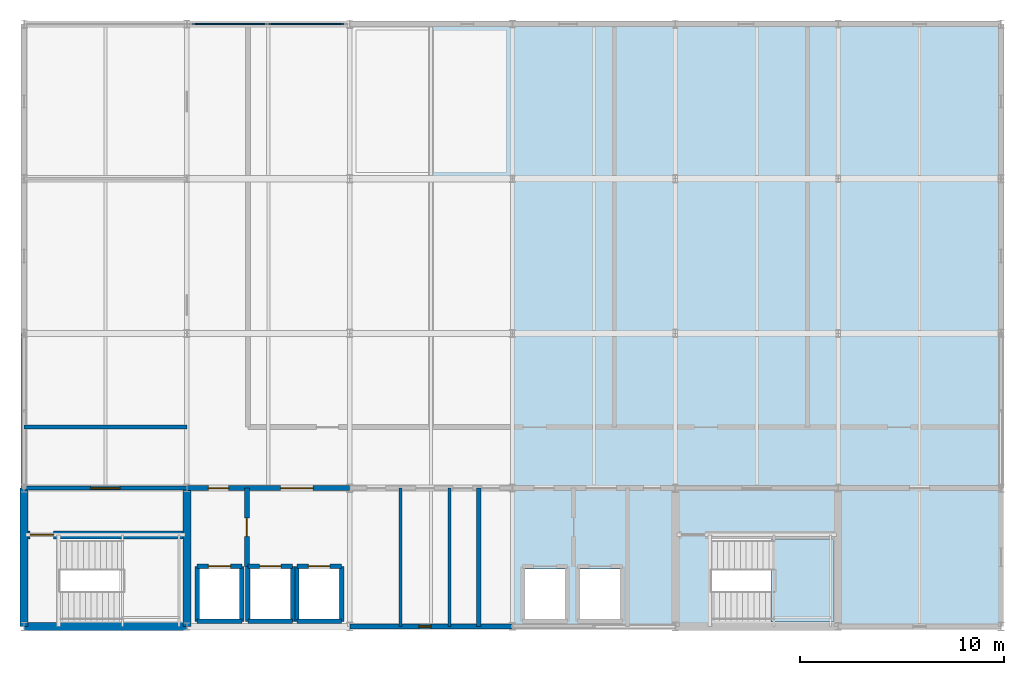
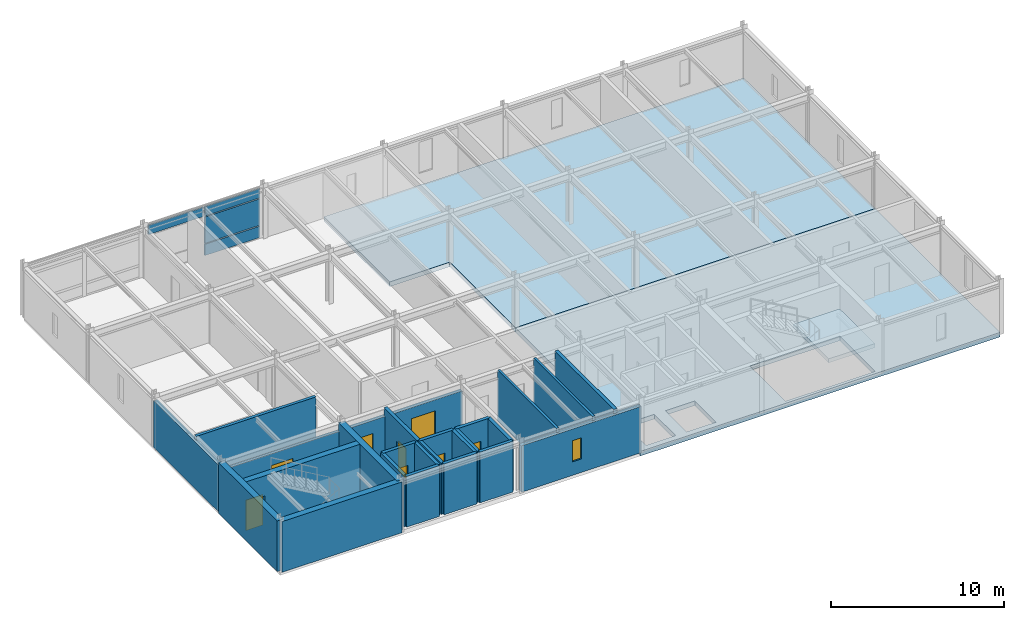
# One storey, part 6 of 9: 25 walls, 8 doors, 4 plates, 3 slabs, 1 window, 9 openings, 2 elements without a shape of their own.
"""IFC4 building model written with IfcOpenShell, lengths in metres."""

from ifc_helpers import new_model, si_unit, direction, frame, frame_2d, origin, origin_2d, place, context, subcontext, project, spatial, polyline, rectangle, outline, extrude, material, layer, layer_set, type_object, element, fill, aggregate, save


model = new_model("IFC4")

# Units and contexts
model_context = context("Model", 3, precision=1e-05, world=origin(), true_north=direction((0.0, 1.0)))
body_context = subcontext(model_context, "Body", "Model", "MODEL_VIEW")
ifc_project = project(units=[si_unit("LENGTHUNIT", "METRE"), si_unit("AREAUNIT", "SQUARE_METRE"), si_unit("VOLUMEUNIT", "CUBIC_METRE"), si_unit("PLANEANGLEUNIT", "RADIAN"), si_unit("MASSUNIT", "GRAM", prefix="KILO")], contexts=[model_context])

# Site, building, storey
site_placement = place(None, origin())
site = spatial("IfcSite", under=ifc_project, at=site_placement, CompositionType="ELEMENT")
building_placement = place(site_placement, origin())
building = spatial("IfcBuilding", under=site, at=building_placement, Name="Shalkamar Park Central Library", CompositionType="ELEMENT")
storey_placement = place(building_placement, frame((0.0, 0.0, 60.0)))
storey = spatial("IfcBuildingStorey", under=building, at=storey_placement, Name="L15", CompositionType="ELEMENT", Elevation=60.0)

# Curtain wall, plates
ifc_material_1 = material(Name="Thermally broken aluminium and triple low-e curtain wall", Category="aluminium")
ifc_layer_1 = layer(ifc_material_1, 0.264892578125)
ifc_layer_set_1 = layer_set([ifc_layer_1], Name="UnitisedCurtainWall_99")
curtain_wall_type = type_object("IfcCurtainWallType", Name="Unitised Curtain Wall 99", PredefinedType="USERDEFINED", material=ifc_layer_set_1)
curtain_wall_placement = place(storey_placement, origin())
curtain_wall = element("IfcCurtainWall", 1, at=curtain_wall_placement, inside=storey, type_object=curtain_wall_type, Name="Unitised Curtain Wall CW-L15-157", ObjectType="UNITISED CURTAIN WALL", PredefinedType="USERDEFINED")
ifc_material_2 = material(Name="Insulated aluminium spandrel panel", Category="aluminium")
ifc_layer_2 = layer(ifc_material_2, 0.080078125)
ifc_layer_set_2 = layer_set([ifc_layer_2], Name="SpandrelShadowboxPanel_80")
plate_type = type_object("IfcPlateType", Name="Spandrel Shadowbox Panel 80", PredefinedType="CURTAIN_PANEL", material=ifc_layer_set_2)
plate_1_placement = place(storey_placement, frame((175.108154296875, 278.0, 2.864990234375), z_axis=(0.0, 0.0, 1.0), x_axis=(1.0, 0.0, 0.0)))
plate_1 = element("IfcPlate", 2, at=plate_1_placement, type_object=plate_type, Name="CW-99 panel 1.3", PredefinedType="CURTAIN_PANEL", context=body_context, shape_type="SweptSolid", body=[
    extrude(rectangle(XDim=3.678466796875, YDim=0.080078125, at=origin_2d()), origin(), (0.0, 0.0, 1.0), 0.64501953125),
])
plate_2_placement = place(storey_placement, frame((178.871826171875, 278.0, 0.070068359375), z_axis=(0.0, 0.0, 1.0), x_axis=(1.0, 0.0, 0.0)))
plate_2 = element("IfcPlate", 3, at=plate_2_placement, type_object=plate_type, Name="CW-99 panel 2.1", PredefinedType="CURTAIN_PANEL", context=body_context, shape_type="SweptSolid", body=[
    extrude(rectangle(XDim=3.678466796875, YDim=0.080078125, at=origin_2d()), origin(), (0.0, 0.0, 1.0), 0.794921875),
])
plate_3_placement = place(storey_placement, frame((178.871826171875, 278.0, 0.93505859375), z_axis=(0.0, 0.0, 1.0), x_axis=(1.0, 0.0, 0.0)))
plate_3 = element("IfcPlate", 4, at=plate_3_placement, type_object=plate_type, Name="CW-99 panel 2.2", PredefinedType="CURTAIN_PANEL", context=body_context, shape_type="SweptSolid", body=[
    extrude(rectangle(XDim=3.678466796875, YDim=0.080078125, at=origin_2d()), origin(), (0.0, 0.0, 1.0), 1.860107421875),
])
plate_4_placement = place(storey_placement, frame((178.871826171875, 278.0, 2.864990234375), z_axis=(0.0, 0.0, 1.0), x_axis=(1.0, 0.0, 0.0)))
plate_4 = element("IfcPlate", 5, at=plate_4_placement, type_object=plate_type, Name="CW-99 panel 2.3", PredefinedType="CURTAIN_PANEL", context=body_context, shape_type="SweptSolid", body=[
    extrude(rectangle(XDim=3.678466796875, YDim=0.080078125, at=origin_2d()), origin(), (0.0, 0.0, 1.0), 0.64501953125),
])
aggregate(curtain_wall, [plate_1, plate_2, plate_3, plate_4])

# Stair, slab
ifc_material_3 = material(Name="Concrete C35/45", Category="concrete")
stair_type = type_object("IfcStairType", Name="Protected Dog Leg Stair 150x390", PredefinedType="TWO_STRAIGHT_RUN_STAIR", material=ifc_material_3)
stair_placement = place(storey_placement, origin())
stair = element("IfcStair", 6, at=stair_placement, inside=storey, type_object=stair_type, Name="Protected Core Stair ST-T2-L15", PredefinedType="TWO_STRAIGHT_RUN_STAIR")
ifc_layer_3 = layer(ifc_material_3, 0.280029296875)
ifc_layer_set_3 = layer_set([ifc_layer_3], Name="Concrete C35/45")
slab_type_1 = type_object("IfcSlabType", Name="Stair Landing Slab 160", PredefinedType="LANDING", material=ifc_layer_set_3)
slab_1_placement = place(storey_placement, frame((0.0, 0.0, 1.669921875)))
slab_1 = element("IfcSlab", 7, at=slab_1_placement, type_object=slab_type_1, Name="ST-T2-L15 landing 1", PredefinedType="LANDING", context=body_context, shape_type="SweptSolid", body=[
    extrude(outline(polyline([(201.699951171875, 248.6201171875), (204.780029296875, 248.6201171875), (204.780029296875, 252.679931640625), (201.699951171875, 252.679931640625), (201.699951171875, 248.6201171875)])), origin(), (0.0, 0.0, 1.0), 0.280029296875),
])
aggregate(stair, [slab_1])

# Slabs
ifc_layer_4 = layer(ifc_material_3, 0.320068359375)
ifc_layer_set_4 = layer_set([ifc_layer_4], Name="Concrete C35/45")
slab_type_2 = type_object("IfcSlabType", Name="Suspended Floor Slab 320", PredefinedType="FLOOR", material=ifc_layer_set_4)
slab_2_placement = place(storey_placement, frame((0.0, 0.0, -0.320068359375)))
element("IfcSlab", 8, at=slab_2_placement, inside=storey, type_object=slab_type_2, Name="Level L15 Composite Floor Slab NE", PredefinedType="FLOOR", context=body_context, shape_type="SweptSolid", body=[
    extrude(outline(polyline([(189.010009765625, 262.800048828125), (213.0, 262.800048828125), (213.0, 278.0), (185.010009765625, 278.0), (185.010009765625, 270.409912109375), (189.010009765625, 270.409912109375), (189.010009765625, 262.800048828125)])), origin(), (0.0, 0.0, 1.0), 0.320068359375),
])
slab_3_placement = place(storey_placement, frame((0.0, 0.0, -0.320068359375)))
element("IfcSlab", 9, at=slab_3_placement, inside=storey, type_object=slab_type_2, Name="Level L15 Composite Floor Slab SE", PredefinedType="FLOOR", context=body_context, shape_type="SweptSolid", body=[
    extrude(outline(polyline([(189.0, 248.39990234375), (189.0, 262.800048828125), (213.0, 262.800048828125), (213.0, 248.39990234375), (189.0, 248.39990234375)]), holes=[polyline([(189.6201171875, 251.22998046875), (189.6201171875, 248.77001953125), (191.580078125, 248.77001953125), (191.580078125, 251.22998046875), (189.6201171875, 251.22998046875)]), polyline([(192.320068359375, 251.22998046875), (192.320068359375, 248.77001953125), (194.280029296875, 248.77001953125), (194.280029296875, 251.22998046875), (192.320068359375, 251.22998046875)]), polyline([(198.800048828125, 252.699951171875), (198.800048828125, 248.60009765625), (204.800048828125, 248.60009765625), (204.800048828125, 252.699951171875), (198.800048828125, 252.699951171875)])]), origin(), (0.0, 0.0, 1.0), 0.320068359375),
])

# Wall, opening, window
ifc_material_4 = material(Name="Terracotta insulated masonry", Category="masonry")
ifc_layer_5 = layer(ifc_material_4, 0.260009765625)
ifc_layer_set_5 = layer_set([ifc_layer_5], Name="ArchiveInsulatedFacadeWall_260")
wall_type_1 = type_object("IfcWallType", Name="Archive Insulated Facade Wall 260", PredefinedType="SOLIDWALL", material=ifc_layer_set_5)
wall_1_placement = place(storey_placement, frame((181.006103515625, 248.39990234375, 0.0), z_axis=(0.0, 0.0, 1.0), x_axis=(1.0, 0.0, 0.0)))
wall_1 = element("IfcWall", 10, at=wall_1_placement, inside=storey, type_object=wall_type_1, Name="Exterior Facade Wall WL-EXT-L15-258", PredefinedType="SOLIDWALL", context=body_context, shape_type="SweptSolid", body=[
    extrude(rectangle(XDim=7.98779296875, YDim=0.260009765625, at=frame_2d((3.993896484375, 0.0))), origin(), (0.0, 0.0, 1.0), 3.26806640625),
])
opening_1_placement = place(wall_1_placement, frame((3.39404296875, 0.0, 0.949951171875)))
opening_1 = element("IfcOpeningElement", 11, at=opening_1_placement, cuts=wall_1, Name="Opening WN-20", PredefinedType="OPENING", context=body_context, shape_type="SweptSolid", body=[
    extrude(rectangle(XDim=0.60009765625, YDim=1.5, at=frame_2d((0.300048828125, 0.75))), frame((0.0, 0.14501953125, 0.0), z_axis=(0.0, -1.0, 0.0), x_axis=(1.0, 0.0, 0.0)), (0.0, 0.0, 1.0), 0.289794921875),
])
ifc_material_5 = material(Name="Thermally broken aluminium and triple low-e glass", Category="glass")
window_type = type_object("IfcWindowType", Name="Archive Slit Window 600x1500", PartitioningType="SINGLE_PANEL", PredefinedType="WINDOW", material=ifc_material_5)
window_placement = place(opening_1_placement, origin())
window = element("IfcWindow", 12, at=window_placement, inside=storey, type_object=window_type, Name="Facade Window WN-L15-189", OverallHeight=1.5, OverallWidth=0.60009765625, PartitioningType="SINGLE_PANEL", PredefinedType="WINDOW", context=body_context, shape_type="SweptSolid", body=[
    extrude(rectangle(XDim=0.60009765625, YDim=1.5, at=frame_2d((0.300048828125, 0.75))), frame((0.0, 0.030029296875, 0.0), z_axis=(0.0, -1.0, 0.0), x_axis=(1.0, 0.0, 0.0)), (0.0, 0.0, 1.0), 0.06005859375),
])
fill(opening_1, window)

# Wall
wall_2_placement = place(storey_placement, frame((165.0, 255.2060546875, 0.0), z_axis=(0.0, 0.0, 1.0), x_axis=(0.0, 1.0, 0.0)))
element("IfcWall", 13, at=wall_2_placement, inside=storey, type_object=wall_type_1, Name="Exterior Facade Wall WL-EXT-L15-265", PredefinedType="SOLIDWALL", context=body_context, shape_type="SweptSolid", body=[
    extrude(rectangle(XDim=7.587890625, YDim=0.260009765625, at=frame_2d((3.7939453125, 0.0))), origin(), (0.0, 0.0, 1.0), 3.30810546875),
])

# Wall, opening, door
ifc_material_6 = material(Name="Reinforced fire-compartment masonry wall", Category="masonry")
ifc_layer_6 = layer(ifc_material_6, 0.239990234375)
ifc_layer_set_6 = layer_set([ifc_layer_6], Name="CompartmentWall_240")
wall_type_2 = type_object("IfcWallType", Name="Compartment Wall 240", PredefinedType="PARTITIONING", material=ifc_layer_set_6)
wall_3_placement = place(storey_placement, frame((175.949951171875, 251.35009765625, 0.0), z_axis=(0.0, 0.0, 1.0), x_axis=(0.0, 1.0, 0.0)))
wall_3 = element("IfcWall", 14, at=wall_3_placement, inside=storey, type_object=wall_type_2, Name="Interior Partition WL-INT-L15-001", PredefinedType="PARTITIONING", context=body_context, shape_type="SweptSolid", body=[
    extrude(rectangle(XDim=3.849853515625, YDim=0.239990234375, at=frame_2d((1.9248046875, 0.0))), origin(), (0.0, 0.0, 1.0), 3.580078125),
])
opening_2_placement = place(wall_3_placement, frame((1.47509765625, 0.0, 0.0)))
opening_2 = element("IfcOpeningElement", 15, at=opening_2_placement, cuts=wall_3, Name="Opening DR-L15-001", PredefinedType="OPENING", context=body_context, shape_type="SweptSolid", body=[
    extrude(rectangle(XDim=0.89990234375, YDim=2.10009765625, at=frame_2d((0.449951171875, 1.050048828125))), frame((0.0, 0.134765625, 0.0), z_axis=(0.0, -1.0, 0.0), x_axis=(1.0, 0.0, 0.0)), (0.0, 0.0, 1.0), 0.269775390625),
])
ifc_material_7 = material(Name="Steel S355", Category="steel")
door_type_1 = type_object("IfcDoorType", Name="Fire Door Single 900x2100", OperationType="NOTDEFINED", PredefinedType="DOOR", material=ifc_material_7)
door_1_placement = place(opening_2_placement, frame((0.89990234375, 0.0, 0.0), z_axis=(0.0, 0.0, 1.0), x_axis=(-1.0, 0.0, 0.0)))
door_1 = element("IfcDoor", 16, at=door_1_placement, inside=storey, type_object=door_type_1, Name="Fire Lobby Interconnect Door", OperationType="SINGLE_SWING_LEFT", OverallHeight=2.10009765625, OverallWidth=0.89990234375, PredefinedType="DOOR", context=body_context, shape_type="SweptSolid", body=[
    extrude(rectangle(XDim=0.89990234375, YDim=2.10009765625, at=frame_2d((0.449951171875, 1.050048828125))), frame((0.0, 0.02490234375, 0.0), z_axis=(0.0, -1.0, 0.0), x_axis=(1.0, 0.0, 0.0)), (0.0, 0.0, 1.0), 0.050048828125),
])
fill(opening_2, door_1)

# Wall, openings, doors
wall_4_placement = place(storey_placement, frame((173.0, 255.199951171875, 0.0), z_axis=(0.0, 0.0, 1.0), x_axis=(1.0, 0.0, 0.0)))
wall_4 = element("IfcWall", 17, at=wall_4_placement, inside=storey, type_object=wall_type_2, Name="Interior Partition WL-INT-L15-007", PredefinedType="PARTITIONING", context=body_context, shape_type="SweptSolid", body=[
    extrude(rectangle(XDim=8.0, YDim=0.239990234375, at=frame_2d((4.0, 0.0))), origin(), (0.0, 0.0, 1.0), 3.028076171875),
])
opening_3_placement = place(wall_4_placement, frame((1.050048828125, 0.0, 0.0)))
opening_3 = element("IfcOpeningElement", 18, at=opening_3_placement, cuts=wall_4, Name="Opening DR-L15-003", PredefinedType="OPENING", context=body_context, shape_type="SweptSolid", body=[
    extrude(rectangle(XDim=1.0, YDim=2.10009765625, at=frame_2d((0.5, 1.050048828125))), frame((0.0, 0.134765625, 0.0), z_axis=(0.0, -1.0, 0.0), x_axis=(1.0, 0.0, 0.0)), (0.0, 0.0, 1.0), 0.269775390625),
])
opening_4_placement = place(wall_4_placement, frame((4.60009765625, 0.0, 0.0)))
opening_4 = element("IfcOpeningElement", 19, at=opening_4_placement, cuts=wall_4, Name="Opening DR-L15-004", PredefinedType="OPENING", context=body_context, shape_type="SweptSolid", body=[
    extrude(rectangle(XDim=1.60009765625, YDim=2.25, at=frame_2d((0.800048828125, 1.125))), frame((0.0, 0.134765625, 0.0), z_axis=(0.0, -1.0, 0.0), x_axis=(1.0, 0.0, 0.0)), (0.0, 0.0, 1.0), 0.269775390625),
])
door_type_2 = type_object("IfcDoorType", Name="Fire Door Single 1000x2100", OperationType="NOTDEFINED", PredefinedType="DOOR", material=ifc_material_7)
door_2_placement = place(opening_3_placement, frame((1.0, 0.0, 0.0), z_axis=(0.0, 0.0, 1.0), x_axis=(-1.0, 0.0, 0.0)))
door_2 = element("IfcDoor", 20, at=door_2_placement, inside=storey, type_object=door_type_2, Name="West Firefighting Lobby Door", OperationType="SINGLE_SWING_RIGHT", OverallHeight=2.10009765625, OverallWidth=1.0, PredefinedType="DOOR", context=body_context, shape_type="SweptSolid", body=[
    extrude(rectangle(XDim=1.0, YDim=2.10009765625, at=frame_2d((0.5, 1.050048828125))), frame((0.0, 0.02490234375, 0.0), z_axis=(0.0, -1.0, 0.0), x_axis=(1.0, 0.0, 0.0)), (0.0, 0.0, 1.0), 0.050048828125),
])
fill(opening_3, door_2)
door_type_3 = type_object("IfcDoorType", Name="Interior Door Double 1600x2250", OperationType="DOUBLE_DOOR_SINGLE_SWING", PredefinedType="DOOR", material=ifc_material_7)
door_3_placement = place(opening_4_placement, origin())
door_3 = element("IfcDoor", 21, at=door_3_placement, inside=storey, type_object=door_type_3, Name="West Lift Lobby Entrance", OperationType="DOUBLE_DOOR_SINGLE_SWING", OverallHeight=2.25, OverallWidth=1.60009765625, PredefinedType="DOOR", context=body_context, shape_type="SweptSolid", body=[
    extrude(rectangle(XDim=1.60009765625, YDim=2.25, at=frame_2d((0.800048828125, 1.125))), frame((0.0, 0.02490234375, 0.0), z_axis=(0.0, -1.0, 0.0), x_axis=(1.0, 0.0, 0.0)), (0.0, 0.0, 1.0), 0.050048828125),
])
fill(opening_4, door_3)

# Wall, opening, door
ifc_material_8 = material(Name="Fire-rated corridor partition wall", Category="masonry")
ifc_layer_7 = layer(ifc_material_8, 0.199951171875)
ifc_layer_set_7 = layer_set([ifc_layer_7], Name="CorridorFireWall_200")
wall_type_3 = type_object("IfcWallType", Name="Corridor Fire Wall 200", PredefinedType="PARTITIONING", material=ifc_layer_set_7)
wall_5_placement = place(storey_placement, frame((165.0, 255.199951171875, 0.0), z_axis=(0.0, 0.0, 1.0), x_axis=(1.0, 0.0, 0.0)))
wall_5 = element("IfcWall", 22, at=wall_5_placement, inside=storey, type_object=wall_type_3, Name="CORE-T1 Vestibule North Wall (L15)", PredefinedType="PARTITIONING", context=body_context, shape_type="SweptSolid", body=[
    extrude(rectangle(XDim=8.0, YDim=0.199951171875, at=frame_2d((4.0, 0.0))), origin(), (0.0, 0.0, 1.0), 3.028076171875),
])
opening_5_placement = place(wall_5_placement, frame((3.27490234375, 0.0, 0.0)))
opening_5 = element("IfcOpeningElement", 23, at=opening_5_placement, cuts=wall_5, Name="Opening DR-ST-T1-L15-VEST", PredefinedType="OPENING", context=body_context, shape_type="SweptSolid", body=[
    extrude(rectangle(XDim=1.449951171875, YDim=2.199951171875, at=frame_2d((0.72509765625, 1.10009765625))), frame((0.0, 0.11474609375, 0.0), z_axis=(0.0, -1.0, 0.0), x_axis=(1.0, 0.0, 0.0)), (0.0, 0.0, 1.0), 0.229736328125),
])
door_type_4 = type_object("IfcDoorType", Name="Stair Vestibule Door 1450x2200", OperationType="DOUBLE_DOOR_SINGLE_SWING", PredefinedType="DOOR", material=ifc_material_7)
door_4_placement = place(opening_5_placement, frame((1.449951171875, 0.0, 0.0), z_axis=(0.0, 0.0, 1.0), x_axis=(-1.0, 0.0, 0.0)))
door_4 = element("IfcDoor", 24, at=door_4_placement, inside=storey, type_object=door_type_4, Name="Protected Stair ST-T1 Vestibule Door (L15)", OperationType="DOUBLE_DOOR_SINGLE_SWING", OverallHeight=2.199951171875, OverallWidth=1.449951171875, PredefinedType="DOOR", context=body_context, shape_type="SweptSolid", body=[
    extrude(rectangle(XDim=1.449951171875, YDim=2.199951171875, at=frame_2d((0.72509765625, 1.10009765625))), frame((0.0, 0.02490234375, 0.0), z_axis=(0.0, -1.0, 0.0), x_axis=(1.0, 0.0, 0.0)), (0.0, 0.0, 1.0), 0.050048828125),
])
fill(opening_5, door_4)

# Walls
wall_6_placement = place(storey_placement, frame((165.0, 258.199951171875, 0.0), z_axis=(0.0, 0.0, 1.0), x_axis=(1.0, 0.0, 0.0)))
element("IfcWall", 25, at=wall_6_placement, inside=storey, type_object=wall_type_3, Name="Interior Partition WL-INT-L15-011", PredefinedType="PARTITIONING", context=body_context, shape_type="SweptSolid", body=[
    extrude(rectangle(XDim=8.0, YDim=0.199951171875, at=frame_2d((4.0, 0.0))), origin(), (0.0, 0.0, 1.0), 3.580078125),
])
ifc_material_9 = material(Name="Concrete C40/50", Category="concrete")
ifc_layer_8 = layer(ifc_material_9, 0.219970703125)
ifc_layer_set_8 = layer_set([ifc_layer_8], Name="Concrete C40/50")
wall_type_4 = type_object("IfcWallType", Name="Lift Hoistway Shear Wall 220", PredefinedType="SHEAR", material=ifc_layer_set_8)
wall_7_placement = place(storey_placement, frame((173.5, 248.64990234375, 0.0), z_axis=(0.0, 0.0, 1.0), x_axis=(1.0, 0.0, 0.0)))
element("IfcWall", 26, at=wall_7_placement, inside=storey, type_object=wall_type_4, Name="Lift FFL-01 Hoistway South Wall (L15)", PredefinedType="SHEAR", context=body_context, shape_type="SweptSolid", body=[
    extrude(rectangle(XDim=2.199951171875, YDim=0.219970703125, at=frame_2d((1.10009765625, 0.0))), origin(), (0.0, 0.0, 1.0), 3.580078125),
])
for number, where, z_axis, x_axis, name in (
    (27, (173.5, 248.64990234375, 0.0), (0.0, 0.0, 1.0), (0.0, 1.0, 0.0), "Lift FFL-01 Hoistway West Wall (L15)"),
    (28, (175.699951171875, 248.64990234375, 0.0), (0.0, 0.0, 1.0), (0.0, 1.0, 0.0), "Lift FFL-01 Hoistway East Wall (L15)"),
):
    element("IfcWall", number, at=place(storey_placement, frame(where, z_axis=z_axis, x_axis=x_axis)), inside=storey, type_object=wall_type_4, Name=name, PredefinedType="SHEAR", context=body_context, shape_type="SweptSolid", body=[
        extrude(rectangle(XDim=2.7001953125, YDim=0.219970703125, at=frame_2d((1.35009765625, 0.0))), origin(), (0.0, 0.0, 1.0), 3.580078125),
    ])

# Wall, opening, door
wall_8_placement = place(storey_placement, frame((173.5, 251.35009765625, 0.0), z_axis=(0.0, 0.0, 1.0), x_axis=(1.0, 0.0, 0.0)))
wall_8 = element("IfcWall", 29, at=wall_8_placement, inside=storey, type_object=wall_type_4, Name="Lift FFL-01 Hoistway Front Wall (L15)", PredefinedType="SHEAR", context=body_context, shape_type="SweptSolid", body=[
    extrude(rectangle(XDim=2.199951171875, YDim=0.219970703125, at=frame_2d((1.10009765625, 0.0))), origin(), (0.0, 0.0, 1.0), 3.580078125),
])
opening_6_placement = place(wall_8_placement, frame((0.550048828125, 0.0, 0.0)))
opening_6 = element("IfcOpeningElement", 30, at=opening_6_placement, cuts=wall_8, Name="Opening LD-FFL-01-L15", PredefinedType="OPENING", context=body_context, shape_type="SweptSolid", body=[
    extrude(rectangle(XDim=1.10009765625, YDim=2.14990234375, at=frame_2d((0.550048828125, 1.074951171875))), frame((0.0, 0.125, 0.0), z_axis=(0.0, -1.0, 0.0), x_axis=(1.0, 0.0, 0.0)), (0.0, 0.0, 1.0), 0.249755859375),
])
door_type_5 = type_object("IfcDoorType", Name="Fire Lift Landing Door 1100x2150", OperationType="DOUBLE_DOOR_SLIDING", PredefinedType="USERDEFINED", material=ifc_material_7)
door_5_placement = place(opening_6_placement, origin())
door_5 = element("IfcDoor", 31, at=door_5_placement, inside=storey, type_object=door_type_5, Name="Lift FFL-01 Sliding Landing Door (L15)", ObjectType="SLIDING LANDING DOOR", OperationType="DOUBLE_DOOR_SLIDING", OverallHeight=2.14990234375, OverallWidth=1.10009765625, PredefinedType="USERDEFINED", context=body_context, shape_type="SweptSolid", body=[
    extrude(rectangle(XDim=1.10009765625, YDim=2.14990234375, at=frame_2d((0.550048828125, 1.074951171875))), frame((0.0, 0.02490234375, 0.0), z_axis=(0.0, -1.0, 0.0), x_axis=(1.0, 0.0, 0.0)), (0.0, 0.0, 1.0), 0.050048828125),
])
fill(opening_6, door_5)

# Walls
wall_9_placement = place(storey_placement, frame((176.0, 248.64990234375, 0.0), z_axis=(0.0, 0.0, 1.0), x_axis=(1.0, 0.0, 0.0)))
element("IfcWall", 32, at=wall_9_placement, inside=storey, type_object=wall_type_4, Name="Lift LT-01 Hoistway South Wall (L15)", PredefinedType="SHEAR", context=body_context, shape_type="SweptSolid", body=[
    extrude(rectangle(XDim=2.199951171875, YDim=0.219970703125, at=frame_2d((1.10009765625, 0.0))), origin(), (0.0, 0.0, 1.0), 3.580078125),
])
for number, where, z_axis, x_axis, name in (
    (33, (176.0, 248.64990234375, 0.0), (0.0, 0.0, 1.0), (0.0, 1.0, 0.0), "Lift LT-01 Hoistway West Wall (L15)"),
    (34, (178.199951171875, 248.64990234375, 0.0), (0.0, 0.0, 1.0), (0.0, 1.0, 0.0), "Lift LT-01 Hoistway East Wall (L15)"),
):
    element("IfcWall", number, at=place(storey_placement, frame(where, z_axis=z_axis, x_axis=x_axis)), inside=storey, type_object=wall_type_4, Name=name, PredefinedType="SHEAR", context=body_context, shape_type="SweptSolid", body=[
        extrude(rectangle(XDim=2.7001953125, YDim=0.219970703125, at=frame_2d((1.35009765625, 0.0))), origin(), (0.0, 0.0, 1.0), 3.580078125),
    ])

# Wall, opening, door
wall_10_placement = place(storey_placement, frame((176.0, 251.35009765625, 0.0), z_axis=(0.0, 0.0, 1.0), x_axis=(1.0, 0.0, 0.0)))
wall_10 = element("IfcWall", 35, at=wall_10_placement, inside=storey, type_object=wall_type_4, Name="Lift LT-01 Hoistway Front Wall (L15)", PredefinedType="SHEAR", context=body_context, shape_type="SweptSolid", body=[
    extrude(rectangle(XDim=2.199951171875, YDim=0.219970703125, at=frame_2d((1.10009765625, 0.0))), origin(), (0.0, 0.0, 1.0), 3.580078125),
])
opening_7_placement = place(wall_10_placement, frame((0.574951171875, 0.0, 0.0)))
opening_7 = element("IfcOpeningElement", 36, at=opening_7_placement, cuts=wall_10, Name="Opening LD-LT-01-L15", PredefinedType="OPENING", context=body_context, shape_type="SweptSolid", body=[
    extrude(rectangle(XDim=1.050048828125, YDim=2.14990234375, at=frame_2d((0.52490234375, 1.074951171875))), frame((0.0, 0.125, 0.0), z_axis=(0.0, -1.0, 0.0), x_axis=(1.0, 0.0, 0.0)), (0.0, 0.0, 1.0), 0.249755859375),
])
door_type_6 = type_object("IfcDoorType", Name="Passenger Lift Landing Door 1050x2150", OperationType="DOUBLE_DOOR_SLIDING", PredefinedType="USERDEFINED", material=ifc_material_7)
door_6_placement = place(opening_7_placement, origin())
door_6 = element("IfcDoor", 37, at=door_6_placement, inside=storey, type_object=door_type_6, Name="Lift LT-01 Sliding Landing Door (L15)", ObjectType="SLIDING LANDING DOOR", OperationType="DOUBLE_DOOR_SLIDING", OverallHeight=2.14990234375, OverallWidth=1.050048828125, PredefinedType="USERDEFINED", context=body_context, shape_type="SweptSolid", body=[
    extrude(rectangle(XDim=1.050048828125, YDim=2.14990234375, at=frame_2d((0.52490234375, 1.074951171875))), frame((0.0, 0.02490234375, 0.0), z_axis=(0.0, -1.0, 0.0), x_axis=(1.0, 0.0, 0.0)), (0.0, 0.0, 1.0), 0.050048828125),
])
fill(opening_7, door_6)

# Walls
wall_11_placement = place(storey_placement, frame((178.39990234375, 248.64990234375, 0.0), z_axis=(0.0, 0.0, 1.0), x_axis=(1.0, 0.0, 0.0)))
element("IfcWall", 38, at=wall_11_placement, inside=storey, type_object=wall_type_4, Name="Lift LT-02 Hoistway South Wall (L15)", PredefinedType="SHEAR", context=body_context, shape_type="SweptSolid", body=[
    extrude(rectangle(XDim=2.2001953125, YDim=0.219970703125, at=frame_2d((1.10009765625, 0.0))), origin(), (0.0, 0.0, 1.0), 3.580078125),
])
for number, where, z_axis, x_axis, name in (
    (39, (178.39990234375, 248.64990234375, 0.0), (0.0, 0.0, 1.0), (0.0, 1.0, 0.0), "Lift LT-02 Hoistway West Wall (L15)"),
    (40, (180.60009765625, 248.64990234375, 0.0), (0.0, 0.0, 1.0), (0.0, 1.0, 0.0), "Lift LT-02 Hoistway East Wall (L15)"),
):
    element("IfcWall", number, at=place(storey_placement, frame(where, z_axis=z_axis, x_axis=x_axis)), inside=storey, type_object=wall_type_4, Name=name, PredefinedType="SHEAR", context=body_context, shape_type="SweptSolid", body=[
        extrude(rectangle(XDim=2.7001953125, YDim=0.219970703125, at=frame_2d((1.35009765625, 0.0))), origin(), (0.0, 0.0, 1.0), 3.580078125),
    ])

# Wall, opening, door
wall_12_placement = place(storey_placement, frame((178.39990234375, 251.35009765625, 0.0), z_axis=(0.0, 0.0, 1.0), x_axis=(1.0, 0.0, 0.0)))
wall_12 = element("IfcWall", 41, at=wall_12_placement, inside=storey, type_object=wall_type_4, Name="Lift LT-02 Hoistway Front Wall (L15)", PredefinedType="SHEAR", context=body_context, shape_type="SweptSolid", body=[
    extrude(rectangle(XDim=2.2001953125, YDim=0.219970703125, at=frame_2d((1.10009765625, 0.0))), origin(), (0.0, 0.0, 1.0), 3.580078125),
])
opening_8_placement = place(wall_12_placement, frame((0.574951171875, 0.0, 0.0)))
opening_8 = element("IfcOpeningElement", 42, at=opening_8_placement, cuts=wall_12, Name="Opening LD-LT-02-L15", PredefinedType="OPENING", context=body_context, shape_type="SweptSolid", body=[
    extrude(rectangle(XDim=1.050048828125, YDim=2.14990234375, at=frame_2d((0.52490234375, 1.074951171875))), frame((0.0, 0.125, 0.0), z_axis=(0.0, -1.0, 0.0), x_axis=(1.0, 0.0, 0.0)), (0.0, 0.0, 1.0), 0.249755859375),
])
door_7_placement = place(opening_8_placement, origin())
door_7 = element("IfcDoor", 43, at=door_7_placement, inside=storey, type_object=door_type_6, Name="Lift LT-02 Sliding Landing Door (L15)", ObjectType="SLIDING LANDING DOOR", OperationType="DOUBLE_DOOR_SLIDING", OverallHeight=2.14990234375, OverallWidth=1.050048828125, PredefinedType="USERDEFINED", context=body_context, shape_type="SweptSolid", body=[
    extrude(rectangle(XDim=1.050048828125, YDim=2.14990234375, at=frame_2d((0.52490234375, 1.074951171875))), frame((0.0, 0.02490234375, 0.0), z_axis=(0.0, -1.0, 0.0), x_axis=(1.0, 0.0, 0.0)), (0.0, 0.0, 1.0), 0.050048828125),
])
fill(opening_8, door_7)

# Walls
ifc_material_10 = material(Name="Moisture-resistant sanitary partition", Category="masonry")
ifc_layer_9 = layer(ifc_material_10, 0.159912109375)
ifc_layer_set_9 = layer_set([ifc_layer_9], Name="PlumbingChaseWall_160")
wall_type_5 = type_object("IfcWallType", Name="Plumbing Chase Wall 160", PredefinedType="PARTITIONING", material=ifc_layer_set_9)
for number, where, z_axis, x_axis, name in (
    (44, (183.5, 248.39990234375, 0.0), (0.0, 0.0, 1.0), (0.0, 1.0, 0.0), "Interior Partition WL-INT-L15-004"),
    (45, (185.89990234375, 248.39990234375, 0.0), (0.0, 0.0, 1.0), (0.0, 1.0, 0.0), "Interior Partition WL-INT-L15-005"),
):
    element("IfcWall", number, at=place(storey_placement, frame(where, z_axis=z_axis, x_axis=x_axis)), inside=storey, type_object=wall_type_5, Name=name, PredefinedType="PARTITIONING", context=body_context, shape_type="SweptSolid", body=[
        extrude(rectangle(XDim=6.800048828125, YDim=0.159912109375, at=frame_2d((3.39990234375, 0.0))), origin(), (0.0, 0.0, 1.0), 3.580078125),
    ])
ifc_material_11 = material(Name="Fire-rated shaft enclosure wall", Category="masonry")
ifc_layer_10 = layer(ifc_material_11, 0.219970703125)
ifc_layer_set_10 = layer_set([ifc_layer_10], Name="ShaftWall_220")
wall_type_6 = type_object("IfcWallType", Name="Shaft Wall 220", PredefinedType="PARTITIONING", material=ifc_layer_set_10)
wall_13_placement = place(storey_placement, frame((187.35009765625, 248.39990234375, 0.0), z_axis=(0.0, 0.0, 1.0), x_axis=(0.0, 1.0, 0.0)))
element("IfcWall", 46, at=wall_13_placement, inside=storey, type_object=wall_type_6, Name="Interior Partition WL-INT-L15-006", PredefinedType="PARTITIONING", context=body_context, shape_type="SweptSolid", body=[
    extrude(rectangle(XDim=6.800048828125, YDim=0.219970703125, at=frame_2d((3.39990234375, 0.0))), origin(), (0.0, 0.0, 1.0), 3.580078125),
])
ifc_layer_11 = layer(ifc_material_9, 0.39990234375)
ifc_layer_set_11 = layer_set([ifc_layer_11], Name="Concrete C40/50")
wall_type_7 = type_object("IfcWallType", Name="Tower Core Shear Wall 400", PredefinedType="SHEAR", material=ifc_layer_set_11)
wall_14_placement = place(storey_placement, frame((165.0, 248.39990234375, 0.0), z_axis=(0.0, 0.0, 1.0), x_axis=(1.0, 0.0, 0.0)))
element("IfcWall", 47, at=wall_14_placement, inside=storey, type_object=wall_type_7, Name="CORE-T1 South Shear Wall (L15)", PredefinedType="SHEAR", context=body_context, shape_type="SweptSolid", body=[
    extrude(rectangle(XDim=8.0, YDim=0.39990234375, at=frame_2d((4.0, 0.0))), origin(), (0.0, 0.0, 1.0), 3.580078125),
])
for number, where, z_axis, x_axis, name in (
    (48, (165.0, 248.39990234375, 0.0), (0.0, 0.0, 1.0), (0.0, 1.0, 0.0), "CORE-T1 West Shear Wall (L15)"),
    (49, (173.0, 248.39990234375, 0.0), (0.0, 0.0, 1.0), (0.0, 1.0, 0.0), "CORE-T1 East Shear Wall (L15)"),
):
    element("IfcWall", number, at=place(storey_placement, frame(where, z_axis=z_axis, x_axis=x_axis)), inside=storey, type_object=wall_type_7, Name=name, PredefinedType="SHEAR", context=body_context, shape_type="SweptSolid", body=[
        extrude(rectangle(XDim=6.800048828125, YDim=0.39990234375, at=frame_2d((3.39990234375, 0.0))), origin(), (0.0, 0.0, 1.0), 3.580078125),
    ])

# Wall, opening, door
wall_15_placement = place(storey_placement, frame((165.0, 252.89990234375, 0.0), z_axis=(0.0, 0.0, 1.0), x_axis=(1.0, 0.0, 0.0)))
wall_15 = element("IfcWall", 50, at=wall_15_placement, inside=storey, type_object=wall_type_7, Name="CORE-T1 Stairwell Wall (L15)", PredefinedType="SHEAR", context=body_context, shape_type="SweptSolid", body=[
    extrude(rectangle(XDim=8.0, YDim=0.39990234375, at=frame_2d((4.0, 0.0))), origin(), (0.0, 0.0, 1.0), 3.580078125),
])
opening_9_placement = place(wall_15_placement, frame((0.300048828125, 0.0, 0.0)))
opening_9 = element("IfcOpeningElement", 51, at=opening_9_placement, cuts=wall_15, Name="Opening DR-ST-T1-L15-IN", PredefinedType="OPENING", context=body_context, shape_type="SweptSolid", body=[
    extrude(rectangle(XDim=1.14990234375, YDim=2.14990234375, at=frame_2d((0.574951171875, 1.074951171875))), frame((0.0, 0.21484375, 0.0), z_axis=(0.0, -1.0, 0.0), x_axis=(1.0, 0.0, 0.0)), (0.0, 0.0, 1.0), 0.4296875),
])
door_type_7 = type_object("IfcDoorType", Name="Stair Core Exit Door 1150x2150", OperationType="NOTDEFINED", PredefinedType="DOOR", material=ifc_material_7)
door_8_placement = place(opening_9_placement, frame((1.14990234375, 0.0, 0.0), z_axis=(0.0, 0.0, 1.0), x_axis=(-1.0, 0.0, 0.0)))
door_8 = element("IfcDoor", 52, at=door_8_placement, inside=storey, type_object=door_type_7, Name="Protected Stair ST-T1 Exit Door (L15)", OperationType="SINGLE_SWING_RIGHT", OverallHeight=2.14990234375, OverallWidth=1.14990234375, PredefinedType="DOOR", context=body_context, shape_type="SweptSolid", body=[
    extrude(rectangle(XDim=1.14990234375, YDim=2.14990234375, at=frame_2d((0.574951171875, 1.074951171875))), frame((0.0, 0.02490234375, 0.0), z_axis=(0.0, -1.0, 0.0), x_axis=(1.0, 0.0, 0.0)), (0.0, 0.0, 1.0), 0.050048828125),
])
fill(opening_9, door_8)

save(model, "model.ifc")
